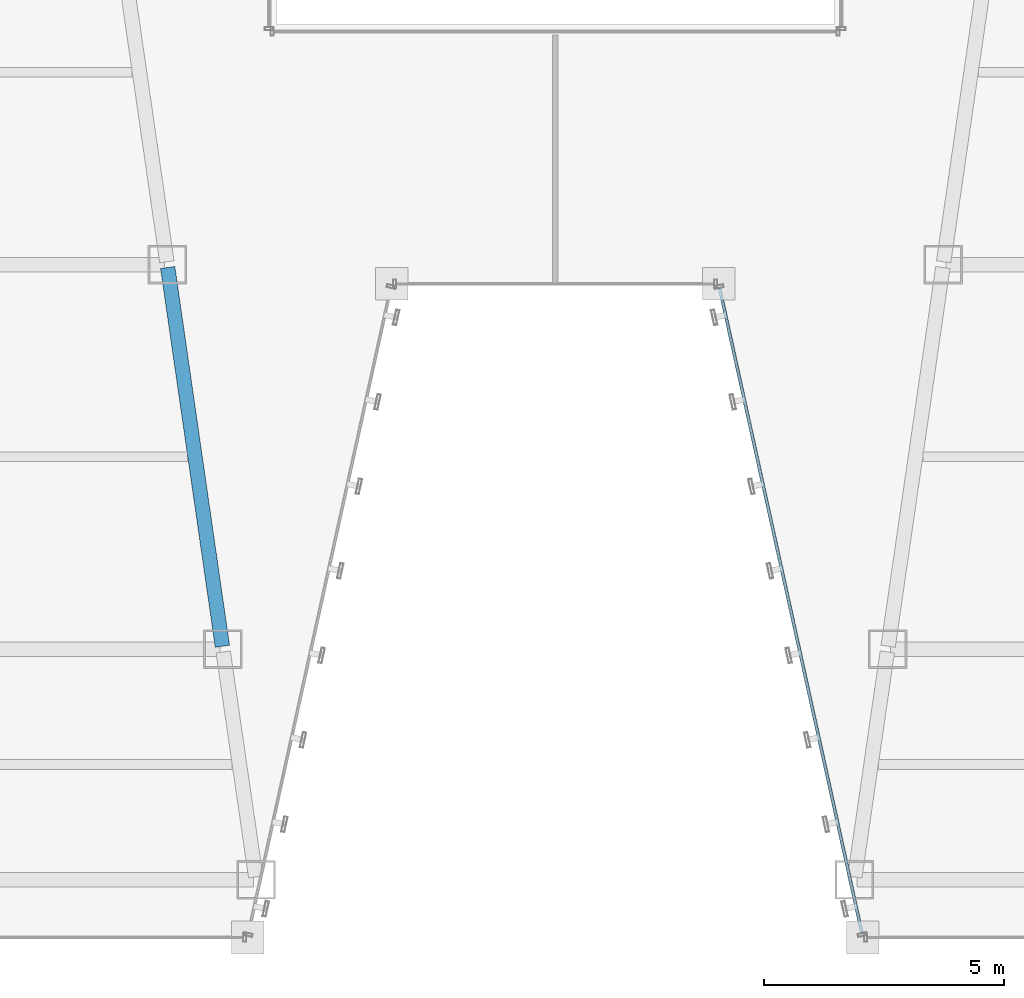
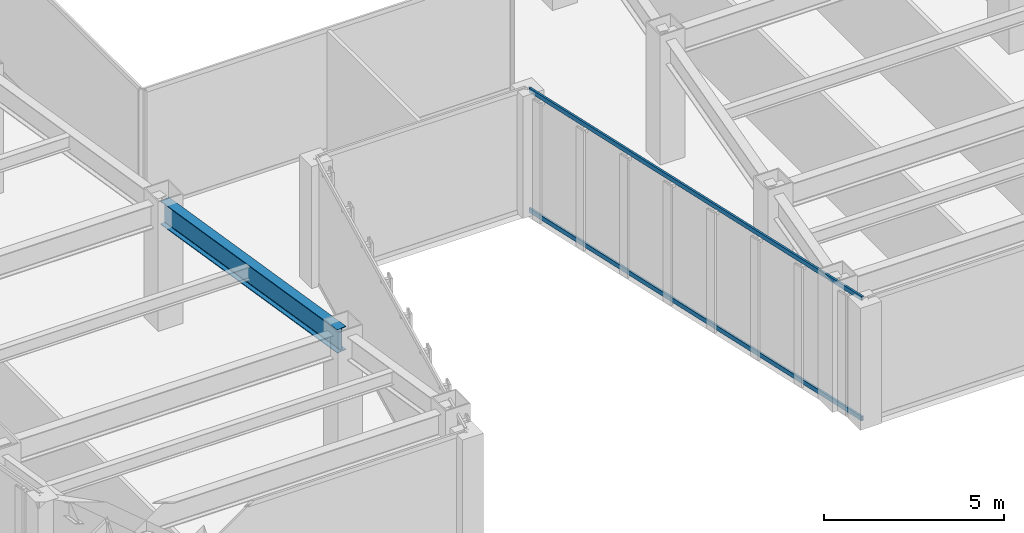
# One storey, part 8 of 47: 2 members, 1 beam, 1 element without a shape of its own.
"""IFC4 building model written with IfcOpenShell, lengths in metres."""

from ifc_helpers import new_model, si_unit, direction, frame, origin, origin_2d, place, context, subcontext, project, spatial, hollow_rectangle, i_section, extrude, material, material_profile, profile_set, type_object, element, aggregate, save


model = new_model("IFC4")

# Units and contexts
model_context = context("Model", 3, precision=1e-05, world=origin(), true_north=direction((0.0, 1.0)))
body_context = subcontext(model_context, "Body", "Model", "MODEL_VIEW")
ifc_project = project(units=[si_unit("LENGTHUNIT", "METRE"), si_unit("AREAUNIT", "SQUARE_METRE"), si_unit("VOLUMEUNIT", "CUBIC_METRE"), si_unit("PLANEANGLEUNIT", "RADIAN"), si_unit("MASSUNIT", "GRAM", prefix="KILO")], contexts=[model_context])

# Site, building, storey
site_placement = place(None, origin())
site = spatial("IfcSite", under=ifc_project, at=site_placement, CompositionType="ELEMENT")
building_placement = place(site_placement, origin())
building = spatial("IfcBuilding", under=site, at=building_placement, Name="Saevonmaru Cultural Tower", CompositionType="ELEMENT")
storey_placement = place(building_placement, frame((0.0, 0.0, 64.800048828125)))
storey = spatial("IfcBuildingStorey", under=building, at=storey_placement, Name="L13", CompositionType="ELEMENT", Elevation=64.800048828125)

# Beam
ifc_material_1 = material(Name="Steel SM420", Category="steel")
ifc_material_profile_1 = material_profile(ifc_material_1, i_section(OverallWidth=0.300048828125, OverallDepth=0.800048828125, WebThickness=0.013916015625, FlangeThickness=0.02587890625, FilletRadius=0.028076171875, at=origin_2d()), Name="H-800x300x14x26")
ifc_profile_set_1 = profile_set([ifc_material_profile_1], Name="Steel SM420")
beam_type = type_object("IfcBeamType", Name="BM-G-H800", PredefinedType="BEAM", material=ifc_profile_set_1)
beam_placement = place(storey_placement, frame((23.074462890625, 8.059326171875, 3.75), z_axis=(-0.142902032203, 0.989736838353, 0.0), x_axis=(-0.989736838353, -0.142902032203, 0.0)))
element("IfcBeam", 1, at=beam_placement, inside=storey, type_object=beam_type, Name="L13 West Atrium Girder 2", PredefinedType="BEAM", context=body_context, shape_type="SweptSolid", body=[
    extrude(i_section(OverallWidth=0.300048828125, OverallDepth=0.800048828125, WebThickness=0.013916015625, FlangeThickness=0.02587890625, FilletRadius=0.028076171875, at=origin_2d()), origin(), (0.0, 0.0, 1.0), 7.963134765625),
])

# Curtain wall, members
ifc_material_2 = material(Name="Satin Bronze Anodised Aluminium", Category="aluminium")
curtain_wall_type = type_object("IfcCurtainWallType", Name="CW-TYP-A", PredefinedType="NOTDEFINED", material=ifc_material_2)
curtain_wall_placement = place(storey_placement, origin())
curtain_wall = element("IfcCurtainWall", 2, at=curtain_wall_placement, inside=storey, type_object=curtain_wall_type, Name="L13 Unitised Curtain Wall E5", PredefinedType="NOTDEFINED")
ifc_material_profile_2 = material_profile(ifc_material_2, hollow_rectangle(XDim=0.06494140625, YDim=0.14990234375, WallThickness=0.00390625, at=origin_2d()), Name="ALU-TRAN-150x65x4")
ifc_profile_set_2 = profile_set([ifc_material_profile_2], Name="Satin Bronze Anodised Aluminium")
member_type = type_object("IfcMemberType", Name="TR-CW-150x65", PredefinedType="USERDEFINED", material=ifc_profile_set_2)
member_1_placement = place(storey_placement, frame((33.419921875, 15.509765625, 0.032470703125), z_axis=(0.21541214732, -0.976523223885, 0.0), x_axis=(0.976523223885, 0.21541214732, 0.0)))
member_1 = element("IfcMember", 3, at=member_1_placement, type_object=member_type, Name="CW-TW-L13-E5 transom 1.1", ObjectType="TRANSOM", PredefinedType="USERDEFINED", context=body_context, shape_type="SweptSolid", body=[
    extrude(hollow_rectangle(XDim=0.06494140625, YDim=0.14990234375, WallThickness=0.00390625, at=origin_2d()), origin(), (0.0, 0.0, 1.0), 13.741943359375),
])
member_2_placement = place(storey_placement, frame((33.419921875, 15.509765625, 4.117431640625), z_axis=(0.21541214732, -0.976523223885, 0.0), x_axis=(0.976523223885, 0.21541214732, 0.0)))
member_2 = element("IfcMember", 4, at=member_2_placement, type_object=member_type, Name="CW-TW-L13-E5 transom 1.2", ObjectType="TRANSOM", PredefinedType="USERDEFINED", context=body_context, shape_type="SweptSolid", body=[
    extrude(hollow_rectangle(XDim=0.06494140625, YDim=0.14990234375, WallThickness=0.00390625, at=origin_2d()), origin(), (0.0, 0.0, 1.0), 13.741943359375),
])
aggregate(curtain_wall, [member_1, member_2])

save(model, "model.ifc")
